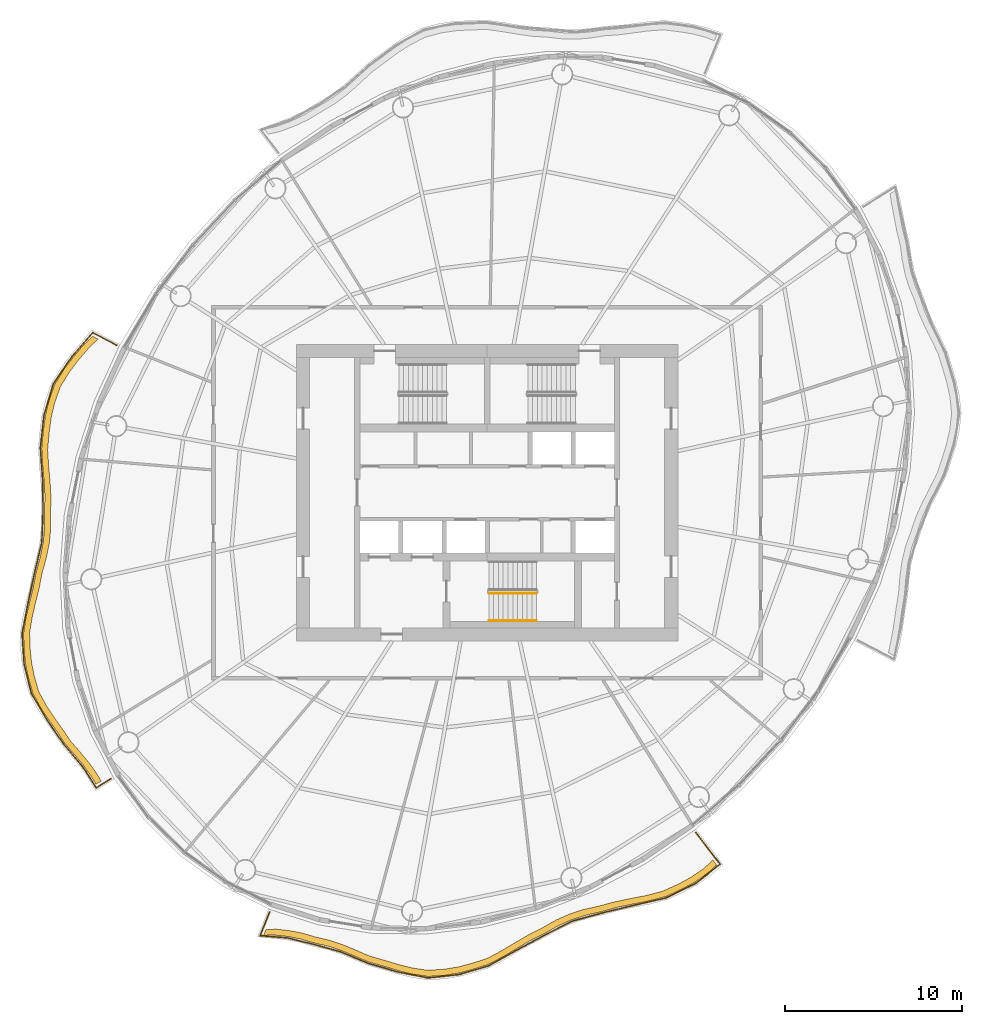
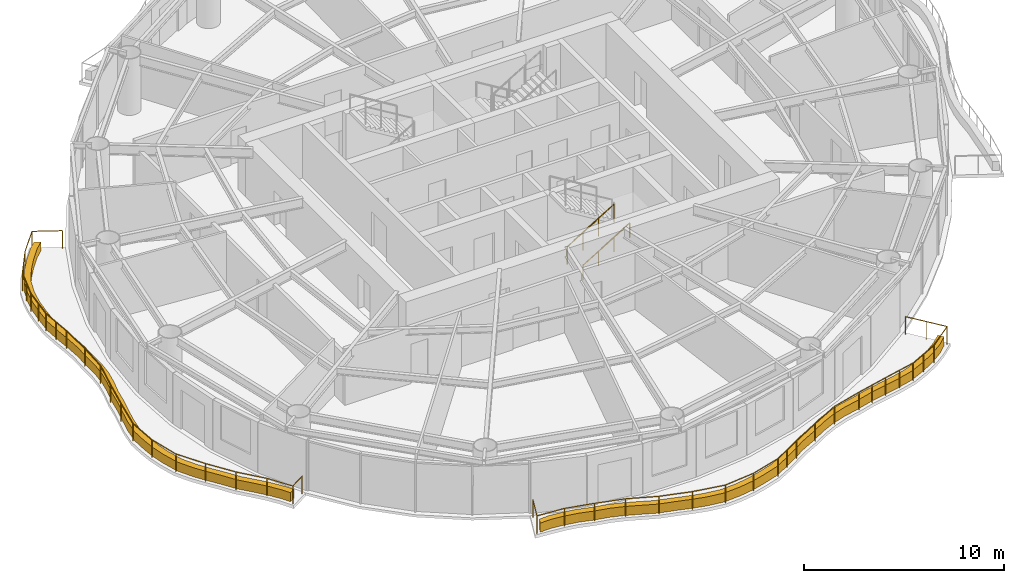
# One storey, part 12 of 14: 4 railings, 2 coverings.
"""IFC4 building model written with IfcOpenShell, lengths in metres."""

from ifc_helpers import new_model, si_unit, direction, frame, origin, origin_2d, place, context, subcontext, project, spatial, polyline, circle, outline, extrude, material, type_object, element, save


model = new_model("IFC4")

# Units and contexts
model_context = context("Model", 3, precision=1e-05, world=origin(), true_north=direction((0.0, 1.0)))
body_context = subcontext(model_context, "Body", "Model", "MODEL_VIEW")
ifc_project = project(units=[si_unit("LENGTHUNIT", "METRE"), si_unit("AREAUNIT", "SQUARE_METRE"), si_unit("VOLUMEUNIT", "CUBIC_METRE"), si_unit("PLANEANGLEUNIT", "RADIAN"), si_unit("MASSUNIT", "GRAM", prefix="KILO")], contexts=[model_context])

# Site, building, storey
site_placement = place(None, origin())
site = spatial("IfcSite", under=ifc_project, at=site_placement, CompositionType="ELEMENT")
building_placement = place(site_placement, origin())
building = spatial("IfcBuilding", under=site, at=building_placement, Name="Vermilion Reach Broadcast Tower", CompositionType="ELEMENT")
storey_placement = place(building_placement, frame((0.0, 0.0, 231.699951171875)))
storey = spatial("IfcBuildingStorey", under=building, at=storey_placement, Name="L57", CompositionType="ELEMENT", Elevation=231.699951171875)

# Coverings
ifc_material_1 = material(Name="Planting soil and greenery")
covering_type = type_object("IfcCoveringType", Name="Balcony PLANTER", PredefinedType="USERDEFINED", material=ifc_material_1)
placement = place(storey_placement, origin())
element("IfcCovering", 1, at=placement, inside=storey, type_object=covering_type, Name="PLANTER L57 group 2", ObjectType="PLANTER", PredefinedType="USERDEFINED", context=body_context, shape_type="SweptSolid", body=[
    extrude(outline(polyline([(-28.34033203125, 8.862060546875), (-28.8505859375, 8.376708984375), (-29.434814453125, 7.69189453125), (-29.973388671875, 6.986083984375), (-30.498046875, 6.123779296875), (-30.827880859375, 5.19140625), (-31.02490234375, 4.359375), (-31.140625, 3.5009765625), (-31.23193359375, 2.511474609375), (-31.1748046875, 1.529052734375), (-31.094970703125, 0.661376953125), (-31.04736328125, -0.199951171875), (-31.073486328125, -1.11669921875), (-31.067626953125, -2.004150390625), (-31.143798828125, -2.816162109375), (-31.304931640625, -3.62158203125), (-31.545654296875, -4.50732421875), (-31.71630859375, -5.3984375), (-31.9150390625, -6.20458984375), (-32.10791015625, -7.010498046875), (-32.259765625, -7.965576171875), (-32.225341796875, -8.901123046875), (-32.150146484375, -9.6748046875), (-31.997802734375, -10.43408203125), (-31.738525390625, -11.343505859375), (-31.29833984375, -12.16845703125), (-30.86669921875, -12.8193359375), (-30.409423828125, -13.461181640625), (-29.912353515625, -14.212158203125), (-29.33837890625, -14.8779296875), (-28.85498046875, -15.46044921875), (-28.423095703125, -16.06982421875), (-28.153564453125, -16.51708984375), (-27.8564453125, -16.33251953125), (-28.112548828125, -15.90869140625), (-28.544189453125, -15.29931640625), (-29.027587890625, -14.716796875), (-29.590576171875, -14.074462890625), (-30.078369140625, -13.34814453125), (-30.53564453125, -12.7060546875), (-30.967041015625, -12.05517578125), (-31.400146484375, -11.254150390625), (-31.65380859375, -10.368896484375), (-31.80615234375, -9.60986328125), (-31.88134765625, -8.8359375), (-31.912353515625, -7.923828125), (-31.75830078125, -6.9921875), (-31.5654296875, -6.186279296875), (-31.366943359375, -5.380126953125), (-31.195556640625, -4.51171875), (-30.955810546875, -3.648193359375), (-30.794677734375, -2.8427734375), (-30.71875, -2.03076171875), (-30.726806640625, -1.16455078125), (-30.7041015625, -0.268798828125), (-30.751953125, 0.59228515625), (-30.83154296875, 1.4599609375), (-30.893310546875, 2.422607421875), (-30.807861328125, 3.392333984375), (-30.692138671875, 4.2509765625), (-30.4951171875, 5.082763671875), (-30.172119140625, 5.99658203125), (-29.655029296875, 6.8408203125), (-29.116455078125, 7.546630859375), (-28.531982421875, 8.2314453125), (-28.030517578125, 8.699462890625), (-28.34033203125, 8.862060546875)])), origin(), (0.0, 0.0, 1.0), 0.550048828125),
])
element("IfcCovering", 2, at=placement, inside=storey, type_object=covering_type, Name="PLANTER L57 group 3", ObjectType="PLANTER", PredefinedType="USERDEFINED", context=body_context, shape_type="SweptSolid", body=[
    extrude(outline(polyline([(-18.657958984375, -25.070556640625), (-18.06884765625, -25.05224609375), (-17.318603515625, -25.133544921875), (-16.5869140625, -25.273193359375), (-15.801513671875, -25.50390625), (-14.986572265625, -25.690185546875), (-14.26025390625, -25.9326171875), (-13.54248046875, -26.22998046875), (-12.7158203125, -26.581787109375), (-11.828857421875, -26.830322265625), (-11.05810546875, -27.064453125), (-10.286865234375, -27.260009765625), (-9.35205078125, -27.399658203125), (-8.395751953125, -27.336181640625), (-7.6103515625, -27.209716796875), (-6.83447265625, -27.00439453125), (-5.9306640625, -26.717529296875), (-5.06396484375, -26.261474609375), (-4.334228515625, -25.8212890625), (-3.6015625, -25.392822265625), (-2.7861328125, -24.986572265625), (-1.985107421875, -24.535888671875), (-1.22265625, -24.19287109375), (-0.427001953125, -23.935302734375), (0.466796875, -23.73193359375), (1.3798828125, -23.481201171875), (2.249267578125, -23.302490234375), (3.12255859375, -23.131103515625), (4.09228515625, -22.879150390625), (5.006591796875, -22.46533203125), (5.772216796875, -22.05126953125), (6.482666015625, -21.556640625), (6.9970703125, -21.079833984375), (6.783935546875, -20.80224609375), (6.28515625, -21.267822265625), (5.57470703125, -21.76220703125), (4.80908203125, -22.176513671875), (3.9111328125, -22.57958984375), (2.958740234375, -22.82177734375), (2.08544921875, -22.9931640625), (1.216064453125, -23.172119140625), (0.3212890625, -23.41357421875), (-0.5537109375, -23.609130859375), (-1.349365234375, -23.866455078125), (-2.11181640625, -24.20947265625), (-2.892578125, -24.6533203125), (-3.6875, -25.053466796875), (-4.420166015625, -25.48193359375), (-5.14990234375, -25.922119140625), (-5.994873046875, -26.373291015625), (-6.87646484375, -26.656982421875), (-7.652099609375, -26.8623046875), (-8.4375, -26.988525390625), (-9.370361328125, -27.050048828125), (-10.28125, -26.91015625), (-11.052734375, -26.71435546875), (-11.823486328125, -26.480224609375), (-12.685546875, -26.23291015625), (-13.487548828125, -25.88427734375), (-14.205322265625, -25.5869140625), (-14.931640625, -25.344482421875), (-15.720947265625, -25.163330078125), (-16.481201171875, -24.939453125), (-17.212890625, -24.800048828125), (-17.963134765625, -24.71875), (-18.52685546875, -24.74609375), (-18.657958984375, -25.070556640625)])), origin(), (0.0, 0.0, 1.0), 0.550048828125),
])

# Railings
ifc_material_2 = material(Name="Stainless steel 316 balustrade", Category="steel")
railing_type_1 = type_object("IfcRailingType", Name="Balcony guard 1100", PredefinedType="BALUSTRADE", material=ifc_material_2)
railing_1_placement = place(storey_placement, frame((-26.98193359375, 8.3525390625, 0.0)))
element("IfcRailing", 3, at=railing_1_placement, inside=storey, type_object=railing_type_1, Name="Balcony guard L57 group 2", PredefinedType="BALUSTRADE", context=body_context, shape_type="SweptSolid", body=[
    extrude(circle(Radius=0.02490234375, at=origin_2d()), frame((0.0, 0.0, 1.0751953125), z_axis=(-0.885575212004, 0.464496010622, 0.0), x_axis=(-0.464496010622, -0.885575212004, 0.0)), (0.0, 0.0, 1.0), 1.529541015625),
    extrude(circle(Radius=0.02490234375, at=origin_2d()), frame((-1.3544921875, 0.71044921875, 1.0751953125), z_axis=(-0.658660127032, -0.752440587062, 0.0), x_axis=(0.752440587062, -0.658660127032, 0.0)), (0.0, 0.0, 1.0), 1.778076171875),
    extrude(circle(Radius=0.02490234375, at=origin_2d()), frame((-2.525634765625, -0.62744140625, 1.0751953125), z_axis=(-0.560885097272, -0.827893657216, 0.0), x_axis=(0.827893657216, -0.560885097272, 0.0)), (0.0, 0.0, 1.0), 1.899169921875),
    extrude(circle(Radius=0.02490234375, at=origin_2d()), frame((-3.5908203125, -2.19970703125, 1.0751953125), z_axis=(-0.286109847104, -0.958196824974, 0.0), x_axis=(0.958196824974, -0.286109847104, 0.0)), (0.0, 0.0, 1.0), 1.845703125),
    extrude(circle(Radius=0.02490234375, at=origin_2d()), frame((-4.118896484375, -3.96826171875, 1.0751953125), z_axis=(-0.111725251359, -0.993739134888, 0.0), x_axis=(0.993739134888, -0.111725251359, 0.0)), (0.0, 0.0, 1.0), 1.864013671875),
    extrude(circle(Radius=0.02490234375, at=origin_2d()), frame((-4.3271484375, -5.820556640625, 1.0751953125), z_axis=(0.072991562774, -0.997332558259, 0.0), x_axis=(0.997332558259, 0.072991562774, 0.0)), (0.0, 0.0, 1.0), 1.859619140625),
    extrude(circle(Radius=0.02490234375, at=origin_2d()), frame((-4.19140625, -7.67529296875, 1.0751953125), z_axis=(0.011501361632, -0.999933857153, 0.0), x_axis=(0.999933857153, 0.011501361632, 0.0)), (0.0, 0.0, 1.0), 1.782958984375),
    extrude(circle(Radius=0.02490234375, at=origin_2d()), frame((-4.1708984375, -9.458251953125, 1.0751953125), z_axis=(-0.041505529226, -0.999138274236, 0.0), x_axis=(0.999138274236, -0.041505529226, 0.0)), (0.0, 0.0, 1.0), 1.705810546875),
    extrude(circle(Radius=0.02490234375, at=origin_2d()), frame((-4.24169921875, -11.16259765625, 1.0751953125), z_axis=(-0.230522219808, -0.973067061499, 0.0), x_axis=(0.973067061499, -0.230522219808, 0.0)), (0.0, 0.0, 1.0), 1.7431640625),
    extrude(circle(Radius=0.02490234375, at=origin_2d()), frame((-4.6435546875, -12.85888671875, 1.0751953125), z_axis=(-0.212045609236, -0.97725977079, 0.0), x_axis=(0.97725977079, -0.212045609236, 0.0)), (0.0, 0.0, 1.0), 1.741943359375),
    extrude(circle(Radius=0.02490234375, at=origin_2d()), frame((-5.012939453125, -14.561279296875, 1.0751953125), z_axis=(-0.191417922386, -0.981508624001, 0.0), x_axis=(0.981508624001, -0.191417922386, 0.0)), (0.0, 0.0, 1.0), 1.799560546875),
    extrude(circle(Radius=0.02490234375, at=origin_2d()), frame((-5.357421875, -16.32763671875, 1.0751953125), z_axis=(0.064368583958, -0.997926192361, 0.0), x_axis=(0.997926192361, 0.064368583958, 0.0)), (0.0, 0.0, 1.0), 1.71826171875),
    extrude(circle(Radius=0.02490234375, at=origin_2d()), frame((-5.246826171875, -18.042236328125, 1.0751953125), z_axis=(0.239403059274, -0.970920272324, 0.0), x_axis=(0.970920272324, 0.239403059274, 0.0)), (0.0, 0.0, 1.0), 1.724365234375),
    extrude(circle(Radius=0.02490234375, at=origin_2d()), frame((-4.833984375, -19.716552734375, 1.0751953125), z_axis=(0.507987720936, -0.861364310486, 0.0), x_axis=(0.861364310486, 0.507987720936, 0.0)), (0.0, 0.0, 1.0), 1.719482421875),
    extrude(circle(Radius=0.02490234375, at=origin_2d()), frame((-3.96044921875, -21.19775390625, 1.0751953125), z_axis=(0.564539237635, -0.825406232815, 0.0), x_axis=(0.825406232815, 0.564539237635, 0.0)), (0.0, 0.0, 1.0), 1.69384765625),
    extrude(circle(Radius=0.02490234375, at=origin_2d()), frame((-3.004150390625, -22.595947265625, 1.0751953125), z_axis=(0.645608910806, -0.763668209557, 0.0), x_axis=(0.763668209557, 0.645608910806, 0.0)), (0.0, 0.0, 1.0), 1.641845703125),
    extrude(circle(Radius=0.02490234375, at=origin_2d()), frame((-1.944091796875, -23.849853515625, 1.0751953125), z_axis=(0.541648590949, -0.840605022542, 0.0), x_axis=(0.840605022542, 0.541648590949, 0.0)), (0.0, 0.0, 1.0), 1.45361328125),
    extrude(circle(Radius=0.02490234375, at=origin_2d()), frame((-1.15673828125, -25.07177734375, 1.0751953125), z_axis=(0.84937552103, 0.527788995977, 0.0), x_axis=(-0.527788995977, 0.84937552103, 0.0)), (0.0, 0.0, 1.0), 0.98388671875),
    extrude(circle(Radius=0.02490234375, at=origin_2d()), origin(), (0.0, 0.0, 1.0), 1.050048828125),
    extrude(circle(Radius=0.02490234375, at=origin_2d()), frame((-1.3544921875, 0.71044921875, 0.0)), (0.0, 0.0, 1.0), 1.050048828125),
    extrude(circle(Radius=0.02490234375, at=origin_2d()), frame((-2.525634765625, -0.62744140625, 0.0)), (0.0, 0.0, 1.0), 1.050048828125),
    extrude(circle(Radius=0.02490234375, at=origin_2d()), frame((-3.05810546875, -1.41357421875, 0.0)), (0.0, 0.0, 1.0), 1.050048828125),
    extrude(circle(Radius=0.02490234375, at=origin_2d()), frame((-3.5908203125, -2.19970703125, 0.0)), (0.0, 0.0, 1.0), 1.050048828125),
    extrude(circle(Radius=0.02490234375, at=origin_2d()), frame((-3.85498046875, -3.083984375, 0.0)), (0.0, 0.0, 1.0), 1.050048828125),
    extrude(circle(Radius=0.02490234375, at=origin_2d()), frame((-4.118896484375, -3.96826171875, 0.0)), (0.0, 0.0, 1.0), 1.050048828125),
    extrude(circle(Radius=0.02490234375, at=origin_2d()), frame((-4.22314453125, -4.89453125, 0.0)), (0.0, 0.0, 1.0), 1.050048828125),
    extrude(circle(Radius=0.02490234375, at=origin_2d()), frame((-4.3271484375, -5.820556640625, 0.0)), (0.0, 0.0, 1.0), 1.050048828125),
    extrude(circle(Radius=0.02490234375, at=origin_2d()), frame((-4.25927734375, -6.748046875, 0.0)), (0.0, 0.0, 1.0), 1.050048828125),
    extrude(circle(Radius=0.02490234375, at=origin_2d()), frame((-4.19140625, -7.67529296875, 0.0)), (0.0, 0.0, 1.0), 1.050048828125),
    extrude(circle(Radius=0.02490234375, at=origin_2d()), frame((-4.1708984375, -9.458251953125, 0.0)), (0.0, 0.0, 1.0), 1.050048828125),
    extrude(circle(Radius=0.02490234375, at=origin_2d()), frame((-4.24169921875, -11.16259765625, 0.0)), (0.0, 0.0, 1.0), 1.050048828125),
    extrude(circle(Radius=0.02490234375, at=origin_2d()), frame((-4.6435546875, -12.85888671875, 0.0)), (0.0, 0.0, 1.0), 1.050048828125),
    extrude(circle(Radius=0.02490234375, at=origin_2d()), frame((-5.012939453125, -14.561279296875, 0.0)), (0.0, 0.0, 1.0), 1.050048828125),
    extrude(circle(Radius=0.02490234375, at=origin_2d()), frame((-5.357421875, -16.32763671875, 0.0)), (0.0, 0.0, 1.0), 1.050048828125),
    extrude(circle(Radius=0.02490234375, at=origin_2d()), frame((-5.246826171875, -18.042236328125, 0.0)), (0.0, 0.0, 1.0), 1.050048828125),
    extrude(circle(Radius=0.02490234375, at=origin_2d()), frame((-4.833984375, -19.716552734375, 0.0)), (0.0, 0.0, 1.0), 1.050048828125),
    extrude(circle(Radius=0.02490234375, at=origin_2d()), frame((-3.96044921875, -21.19775390625, 0.0)), (0.0, 0.0, 1.0), 1.050048828125),
    extrude(circle(Radius=0.02490234375, at=origin_2d()), frame((-3.004150390625, -22.595947265625, 0.0)), (0.0, 0.0, 1.0), 1.050048828125),
    extrude(circle(Radius=0.02490234375, at=origin_2d()), frame((-1.944091796875, -23.849853515625, 0.0)), (0.0, 0.0, 1.0), 1.050048828125),
    extrude(circle(Radius=0.02490234375, at=origin_2d()), frame((-1.15673828125, -25.07177734375, 0.0)), (0.0, 0.0, 1.0), 1.050048828125),
    extrude(circle(Radius=0.02490234375, at=origin_2d()), frame((-0.321044921875, -24.552490234375, 0.0)), (0.0, 0.0, 1.0), 1.050048828125),
])
railing_2_placement = place(storey_placement, frame((-18.321044921875, -23.75830078125, 0.0)))
element("IfcRailing", 4, at=railing_2_placement, inside=storey, type_object=railing_type_1, Name="Balcony guard L57 group 3", PredefinedType="BALUSTRADE", context=body_context, shape_type="SweptSolid", body=[
    extrude(circle(Radius=0.02490234375, at=origin_2d()), frame((0.0, 0.0, 1.0751953125), z_axis=(-0.374845109807, -0.927087451999, 0.0), x_axis=(0.927087451999, -0.374845109807, 0.0)), (0.0, 0.0, 1.0), 1.436767578125),
    extrude(circle(Radius=0.02490234375, at=origin_2d()), frame((-0.53857421875, -1.33203125, 1.0751953125), z_axis=(0.996904439968, -0.078622754802, 0.0), x_axis=(0.078622754802, 0.996904439968, 0.0)), (0.0, 0.0, 1.0), 1.521484375),
    extrude(circle(Radius=0.02490234375, at=origin_2d()), frame((0.978271484375, -1.45166015625, 1.0751953125), z_axis=(0.971456461514, -0.237217923823, 0.0), x_axis=(0.237217923823, 0.971456461514, 0.0)), (0.0, 0.0, 1.0), 1.5673828125),
    extrude(circle(Radius=0.02490234375, at=origin_2d()), frame((2.5009765625, -1.823486328125, 1.0751953125), z_axis=(0.963539686644, -0.267565454164, 0.0), x_axis=(0.267565454164, 0.963539686644, 0.0)), (0.0, 0.0, 1.0), 1.60595703125),
    extrude(circle(Radius=0.02490234375, at=origin_2d()), frame((4.04833984375, -2.253173828125, 1.0751953125), z_axis=(0.922219445896, -0.386666902658, 0.0), x_axis=(0.386666902658, 0.922219445896, 0.0)), (0.0, 0.0, 1.0), 1.6806640625),
    extrude(circle(Radius=0.02490234375, at=origin_2d()), frame((5.598388671875, -2.903076171875, 1.0751953125), z_axis=(0.960345009259, -0.278814388421, 0.0), x_axis=(0.278814388421, 0.960345009259, 0.0)), (0.0, 0.0, 1.0), 1.73193359375),
    extrude(circle(Radius=0.02490234375, at=origin_2d()), frame((7.26171875, -3.385986328125, 1.0751953125), z_axis=(0.981353637828, -0.192210919363, 0.0), x_axis=(0.192210919363, 0.981353637828, 0.0)), (0.0, 0.0, 1.0), 1.743896484375),
    extrude(circle(Radius=0.02490234375, at=origin_2d()), frame((8.97314453125, -3.72119140625, 1.0751953125), z_axis=(0.994126930629, 0.108220357596, 0.0), x_axis=(-0.108220357596, 0.994126930629, 0.0)), (0.0, 0.0, 1.0), 1.75732421875),
    extrude(circle(Radius=0.02490234375, at=origin_2d()), frame((10.72021484375, -3.531005859375, 1.0751953125), z_axis=(0.959730091159, 0.280923747883, 0.0), x_axis=(-0.280923747883, 0.959730091159, 0.0)), (0.0, 0.0, 1.0), 1.755615234375),
    extrude(circle(Radius=0.02490234375, at=origin_2d()), frame((12.405029296875, -3.037841796875, 1.0751953125), z_axis=(0.872426630486, 0.488745101682, 0.0), x_axis=(-0.488745101682, 0.872426630486, 0.0)), (0.0, 0.0, 1.0), 1.835693359375),
    extrude(circle(Radius=0.02490234375, at=origin_2d()), frame((14.006591796875, -2.140625, 1.0751953125), z_axis=(0.880448873095, 0.474141099111, 0.0), x_axis=(-0.474141099111, 0.880448873095, 0.0)), (0.0, 0.0, 1.0), 1.763671875),
    extrude(circle(Radius=0.02490234375, at=origin_2d()), frame((15.559326171875, -1.304443359375, 1.0751953125), z_axis=(0.89180125853, 0.452427359124, 0.0), x_axis=(-0.452427359124, 0.89180125853, 0.0)), (0.0, 0.0, 1.0), 1.758056640625),
    extrude(circle(Radius=0.02490234375, at=origin_2d()), frame((17.127197265625, -0.509033203125, 1.0751953125), z_axis=(0.964673935387, 0.263446765753, 0.0), x_axis=(-0.263446765753, 0.964673935387, 0.0)), (0.0, 0.0, 1.0), 1.756103515625),
    extrude(circle(Radius=0.02490234375, at=origin_2d()), frame((18.8212890625, -0.04638671875, 1.0751953125), z_axis=(0.972026804544, 0.234869945392, 0.0), x_axis=(-0.234869945392, 0.972026804544, 0.0)), (0.0, 0.0, 1.0), 1.837890625),
    extrude(circle(Radius=0.02490234375, at=origin_2d()), frame((20.607666015625, 0.38525390625, 1.0751953125), z_axis=(0.974469292954, 0.224520816605, 0.0), x_axis=(-0.224520816605, 0.974469292954, 0.0)), (0.0, 0.0, 1.0), 1.895263671875),
    extrude(circle(Radius=0.02490234375, at=origin_2d()), frame((22.45458984375, 0.810791015625, 1.0751953125), z_axis=(0.896884296157, 0.442265258987, 0.0), x_axis=(-0.442265258987, 0.896884296157, 0.0)), (0.0, 0.0, 1.0), 1.87744140625),
    extrude(circle(Radius=0.02490234375, at=origin_2d()), frame((24.138427734375, 1.64111328125, 1.0751953125), z_axis=(0.788109105894, 0.615535569408, 0.0), x_axis=(-0.615535569408, 0.788109105894, 0.0)), (0.0, 0.0, 1.0), 1.7470703125),
    extrude(circle(Radius=0.02490234375, at=origin_2d()), frame((25.515380859375, 2.716552734375, 1.0751953125), z_axis=(-0.609001831082, 0.79316881541, 0.0), x_axis=(-0.79316881541, -0.609001831082, 0.0)), (0.0, 0.0, 1.0), 2.26416015625),
    extrude(circle(Radius=0.02490234375, at=origin_2d()), origin(), (0.0, 0.0, 1.0), 1.050048828125),
    extrude(circle(Radius=0.02490234375, at=origin_2d()), frame((-0.53857421875, -1.33203125, 0.0)), (0.0, 0.0, 1.0), 1.050048828125),
    extrude(circle(Radius=0.02490234375, at=origin_2d()), frame((0.978271484375, -1.45166015625, 0.0)), (0.0, 0.0, 1.0), 1.050048828125),
    extrude(circle(Radius=0.02490234375, at=origin_2d()), frame((2.5009765625, -1.823486328125, 0.0)), (0.0, 0.0, 1.0), 1.050048828125),
    extrude(circle(Radius=0.02490234375, at=origin_2d()), frame((4.04833984375, -2.253173828125, 0.0)), (0.0, 0.0, 1.0), 1.050048828125),
    extrude(circle(Radius=0.02490234375, at=origin_2d()), frame((5.598388671875, -2.903076171875, 0.0)), (0.0, 0.0, 1.0), 1.050048828125),
    extrude(circle(Radius=0.02490234375, at=origin_2d()), frame((7.26171875, -3.385986328125, 0.0)), (0.0, 0.0, 1.0), 1.050048828125),
    extrude(circle(Radius=0.02490234375, at=origin_2d()), frame((8.97314453125, -3.72119140625, 0.0)), (0.0, 0.0, 1.0), 1.050048828125),
    extrude(circle(Radius=0.02490234375, at=origin_2d()), frame((10.72021484375, -3.531005859375, 0.0)), (0.0, 0.0, 1.0), 1.050048828125),
    extrude(circle(Radius=0.02490234375, at=origin_2d()), frame((12.405029296875, -3.037841796875, 0.0)), (0.0, 0.0, 1.0), 1.050048828125),
    extrude(circle(Radius=0.02490234375, at=origin_2d()), frame((13.205810546875, -2.58935546875, 0.0)), (0.0, 0.0, 1.0), 1.050048828125),
    extrude(circle(Radius=0.02490234375, at=origin_2d()), frame((14.006591796875, -2.140625, 0.0)), (0.0, 0.0, 1.0), 1.050048828125),
    extrude(circle(Radius=0.02490234375, at=origin_2d()), frame((15.559326171875, -1.304443359375, 0.0)), (0.0, 0.0, 1.0), 1.050048828125),
    extrude(circle(Radius=0.02490234375, at=origin_2d()), frame((17.127197265625, -0.509033203125, 0.0)), (0.0, 0.0, 1.0), 1.050048828125),
    extrude(circle(Radius=0.02490234375, at=origin_2d()), frame((18.8212890625, -0.04638671875, 0.0)), (0.0, 0.0, 1.0), 1.050048828125),
    extrude(circle(Radius=0.02490234375, at=origin_2d()), frame((19.71435546875, 0.16943359375, 0.0)), (0.0, 0.0, 1.0), 1.050048828125),
    extrude(circle(Radius=0.02490234375, at=origin_2d()), frame((20.607666015625, 0.38525390625, 0.0)), (0.0, 0.0, 1.0), 1.050048828125),
    extrude(circle(Radius=0.02490234375, at=origin_2d()), frame((21.53125, 0.59814453125, 0.0)), (0.0, 0.0, 1.0), 1.050048828125),
    extrude(circle(Radius=0.02490234375, at=origin_2d()), frame((22.45458984375, 0.810791015625, 0.0)), (0.0, 0.0, 1.0), 1.050048828125),
    extrude(circle(Radius=0.02490234375, at=origin_2d()), frame((23.29638671875, 1.22607421875, 0.0)), (0.0, 0.0, 1.0), 1.050048828125),
    extrude(circle(Radius=0.02490234375, at=origin_2d()), frame((24.138427734375, 1.64111328125, 0.0)), (0.0, 0.0, 1.0), 1.050048828125),
    extrude(circle(Radius=0.02490234375, at=origin_2d()), frame((25.515380859375, 2.716552734375, 0.0)), (0.0, 0.0, 1.0), 1.050048828125),
    extrude(circle(Radius=0.02490234375, at=origin_2d()), frame((24.825927734375, 3.614501953125, 0.0)), (0.0, 0.0, 1.0), 1.050048828125),
    extrude(circle(Radius=0.02490234375, at=origin_2d()), frame((24.136474609375, 4.512451171875, 0.0)), (0.0, 0.0, 1.0), 1.050048828125),
])
ifc_material_3 = material(Name="Stainless steel", Category="steel")
railing_type_2 = type_object("IfcRailingType", Name="Stair guard 1100", PredefinedType="GUARDRAIL", material=ifc_material_3)
railing_3_placement = place(storey_placement, frame((-5.89990234375, -5.68994140625, 0.16357421875)))
element("IfcRailing", 5, at=railing_3_placement, inside=storey, type_object=railing_type_2, Name="L57 ST3 stair guard 1", PredefinedType="GUARDRAIL", context=body_context, shape_type="SweptSolid", body=[
    extrude(circle(Radius=0.02392578125, at=origin_2d()), frame((0.0, 0.0, 1.076171875), z_axis=(0.855178096276, 0.0, 0.518334277904), x_axis=(0.0, 1.0, 0.0)), (0.0, 0.0, 1.0), 3.1572265625),
    extrude(circle(Radius=0.02099609375, at=origin_2d()), origin(), (0.0, 0.0, 1.0), 1.052001953125),
    extrude(circle(Radius=0.02099609375, at=origin_2d()), frame((0.89990234375, 0.0, 0.54541015625)), (0.0, 0.0, 1.0), 1.052001953125),
    extrude(circle(Radius=0.02099609375, at=origin_2d()), frame((1.800048828125, 0.0, 1.091064453125)), (0.0, 0.0, 1.0), 1.052001953125),
    extrude(circle(Radius=0.02099609375, at=origin_2d()), frame((2.699951171875, 0.0, 1.636474609375)), (0.0, 0.0, 1.0), 1.052001953125),
])
ifc_material_4 = material(Name="Stainless steel", Category="steel")
railing_type_3 = type_object("IfcRailingType", Name="Stair handrail", PredefinedType="HANDRAIL", material=ifc_material_4)
railing_4_placement = place(storey_placement, frame((-5.89990234375, -7.25, 0.16357421875)))
element("IfcRailing", 6, at=railing_4_placement, inside=storey, type_object=railing_type_3, Name="L57 ST3 stair handrail 1", PredefinedType="HANDRAIL", context=body_context, shape_type="SweptSolid", body=[
    extrude(circle(Radius=0.02392578125, at=origin_2d()), frame((0.0, 0.0, 0.8759765625), z_axis=(0.855178096276, 0.0, 0.518334277904), x_axis=(0.0, 1.0, 0.0)), (0.0, 0.0, 1.0), 3.1572265625),
    extrude(circle(Radius=0.02099609375, at=origin_2d()), origin(), (0.0, 0.0, 1.0), 0.851806640625),
    extrude(circle(Radius=0.02099609375, at=origin_2d()), frame((0.89990234375, 0.0, 0.54541015625)), (0.0, 0.0, 1.0), 0.851806640625),
    extrude(circle(Radius=0.02099609375, at=origin_2d()), frame((1.800048828125, 0.0, 1.091064453125)), (0.0, 0.0, 1.0), 0.851806640625),
    extrude(circle(Radius=0.02099609375, at=origin_2d()), frame((2.699951171875, 0.0, 1.636474609375)), (0.0, 0.0, 1.0), 0.851806640625),
])

save(model, "model.ifc")
